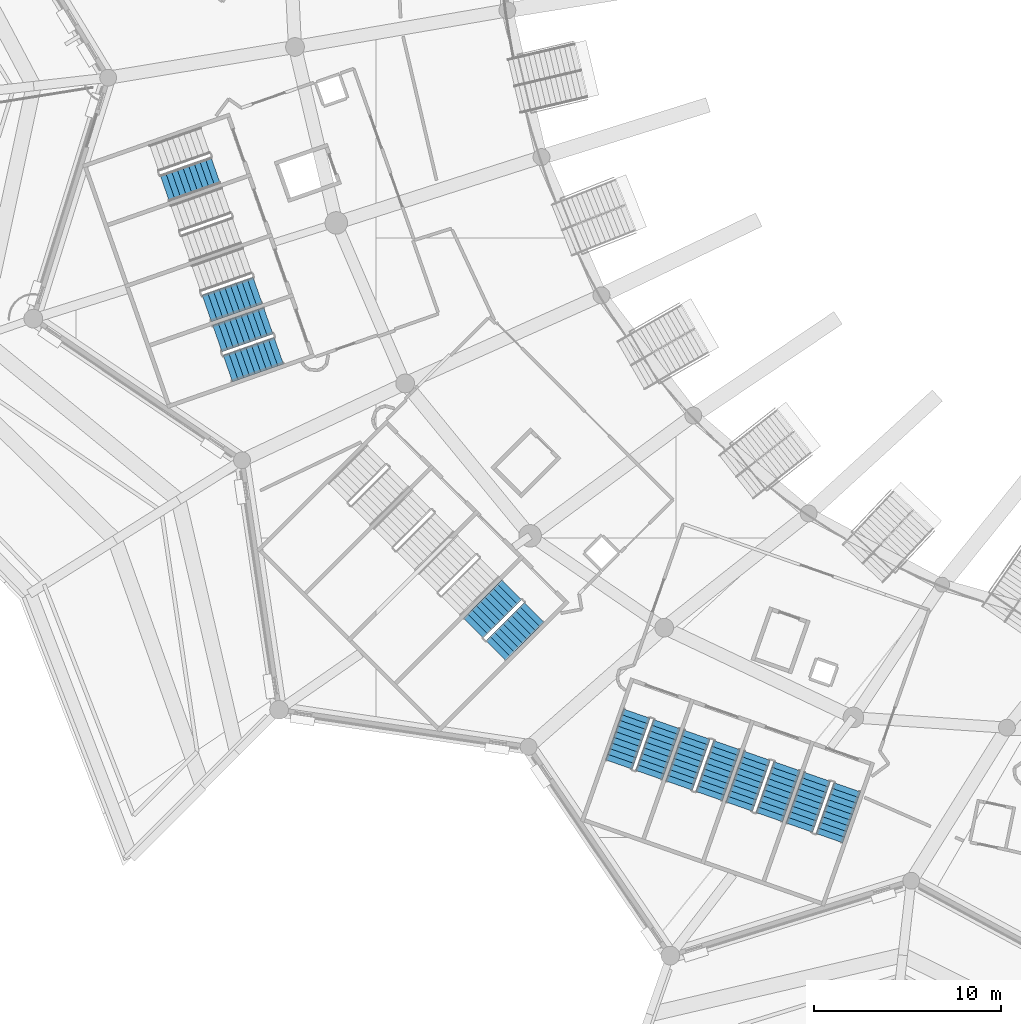
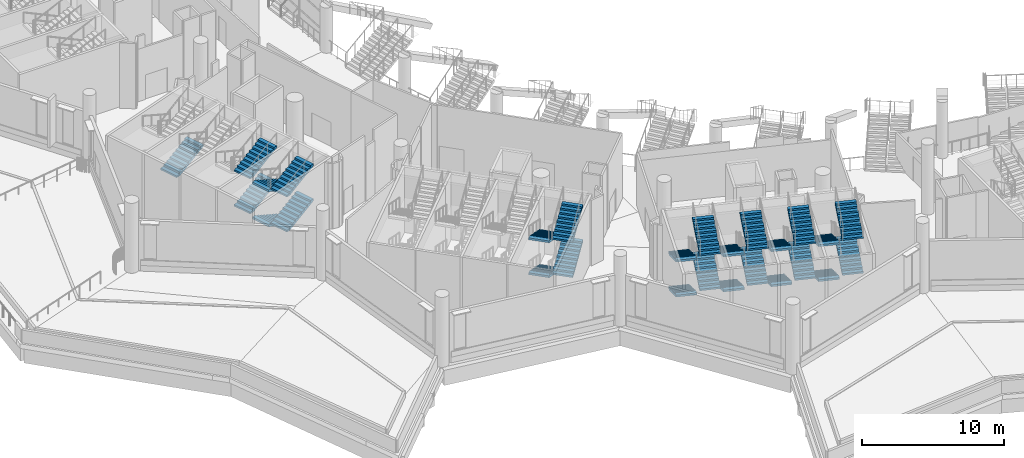
# One storey, part 80 of 173: 27 stair flights, 8 elements without a shape of their own.
"""IFC4 building model written with IfcOpenShell, lengths in metres."""

from ifc_helpers import new_model, si_unit, direction, frame, origin, place, context, subcontext, project, spatial, polyline, outline, extrude, material, type_object, element, aggregate, save


model = new_model("IFC4")

# Units and contexts
model_context = context("Model", 3, precision=1e-05, world=origin(), true_north=direction((0.0, 1.0)))
body_context = subcontext(model_context, "Body", "Model", "MODEL_VIEW")
ifc_project = project(units=[si_unit("LENGTHUNIT", "METRE"), si_unit("AREAUNIT", "SQUARE_METRE"), si_unit("VOLUMEUNIT", "CUBIC_METRE"), si_unit("PLANEANGLEUNIT", "RADIAN"), si_unit("MASSUNIT", "GRAM", prefix="KILO")], contexts=[model_context])

# Site, building, storey
site_placement = place(None, origin())
site = spatial("IfcSite", under=ifc_project, at=site_placement, CompositionType="ELEMENT")
building_placement = place(site_placement, origin())
building = spatial("IfcBuilding", under=site, at=building_placement, Name="Meseta Stadium", CompositionType="ELEMENT")
storey_placement = place(building_placement, frame((0.0, 0.0, 18.0)))
storey = spatial("IfcBuildingStorey", under=building, at=storey_placement, Name="L03", CompositionType="ELEMENT", Elevation=18.0)

# Stair, stair flight
ifc_material_1 = material(Name="Concrete C40/50", Category="concrete")
stair_type = type_object("IfcStairType", Name="Exit stair 4 flights 150 mm risers", PredefinedType="HALF_TURN_STAIR", material=ifc_material_1)
stair_1_placement = place(storey_placement, origin())
stair_1 = element("IfcStair", 1, at=stair_1_placement, inside=storey, type_object=stair_type, Name="ST77 L03", PredefinedType="HALF_TURN_STAIR")
ifc_material_2 = material(Name="Concrete C40/50", Category="concrete")
stair_flight_type = type_object("IfcStairFlightType", Name="Exit stair flight 150 mm risers, 4 per storey", PredefinedType="STRAIGHT", material=ifc_material_2)
stair_flight_1_placement = place(storey_placement, frame((-91.275390625, -61.33984375, 1.5), z_axis=(0.0, 0.0, 1.0), x_axis=(0.943883331955, 0.330279057248, 0.0)))
stair_flight_1 = element("IfcStairFlight", 2, at=stair_flight_1_placement, type_object=stair_flight_type, Name="ST77 L03 flight 2", NumberOfRisers=10, NumberOfTreads=9, PredefinedType="STRAIGHT", RiserHeight=0.15, TreadLength=0.32, context=body_context, shape_type="SweptSolid", body=[
    extrude(outline(polyline([(0.0, 0.0), (0.0, 0.14990234375), (0.320068359375, 0.14990234375), (0.320068359375, 0.300048828125), (0.639892578125, 0.300048828125), (0.639892578125, 0.449951171875), (0.9599609375, 0.449951171875), (0.9599609375, 0.60009765625), (1.280029296875, 0.60009765625), (1.280029296875, 0.75), (1.60009765625, 0.75), (1.60009765625, 0.89990234375), (1.919921875, 0.89990234375), (1.919921875, 1.050048828125), (2.239990234375, 1.050048828125), (2.239990234375, 1.199951171875), (2.56005859375, 1.199951171875), (2.56005859375, 1.35009765625), (2.8798828125, 1.35009765625), (2.8798828125, 1.184326171875), (0.353271484375, 0.0), (0.0, 0.0)])), frame((0.0, 0.75, 0.0), z_axis=(0.0, -1.0, 0.0), x_axis=(1.0, 0.0, 0.0)), (0.0, 0.0, 1.0), 1.5),
])
aggregate(stair_1, [stair_flight_1])

# Stair, stair flights
stair_2_placement = place(storey_placement, origin())
stair_2 = element("IfcStair", 3, at=stair_2_placement, inside=storey, type_object=stair_type, Name="ST79 L03", PredefinedType="HALF_TURN_STAIR")
stair_flight_2_placement = place(storey_placement, frame((-89.029541015625, -67.75830078125, 1.5), z_axis=(0.0, 0.0, 1.0), x_axis=(0.943883331955, 0.330279057248, 0.0)))
stair_flight_2 = element("IfcStairFlight", 4, at=stair_flight_2_placement, type_object=stair_flight_type, Name="ST79 L03 flight 2", NumberOfRisers=10, NumberOfTreads=9, PredefinedType="STRAIGHT", RiserHeight=0.15, TreadLength=0.32, context=body_context, shape_type="SweptSolid", body=[
    extrude(outline(polyline([(0.0, 0.0), (0.0, 0.14990234375), (0.320068359375, 0.14990234375), (0.320068359375, 0.300048828125), (0.639892578125, 0.300048828125), (0.639892578125, 0.449951171875), (0.9599609375, 0.449951171875), (0.9599609375, 0.60009765625), (1.280029296875, 0.60009765625), (1.280029296875, 0.75), (1.60009765625, 0.75), (1.60009765625, 0.89990234375), (1.919921875, 0.89990234375), (1.919921875, 1.050048828125), (2.239990234375, 1.050048828125), (2.239990234375, 1.199951171875), (2.56005859375, 1.199951171875), (2.56005859375, 1.35009765625), (2.8798828125, 1.35009765625), (2.8798828125, 1.184326171875), (0.353271484375, 0.0), (0.0, 0.0)])), frame((0.0, 0.75, 0.0), z_axis=(0.0, -1.0, 0.0), x_axis=(1.0, 0.0, 0.0)), (0.0, 0.0, 1.0), 1.5),
])
stair_flight_3_placement = place(storey_placement, frame((-89.029541015625, -67.75830078125, 4.5), z_axis=(0.0, 0.0, 1.0), x_axis=(0.943883331955, 0.330279057248, 0.0)))
stair_flight_3 = element("IfcStairFlight", 5, at=stair_flight_3_placement, type_object=stair_flight_type, Name="ST79 L03 flight 4", NumberOfRisers=10, NumberOfTreads=9, PredefinedType="STRAIGHT", RiserHeight=0.15, TreadLength=0.32, context=body_context, shape_type="SweptSolid", body=[
    extrude(outline(polyline([(0.0, 0.0), (0.0, 0.14990234375), (0.320068359375, 0.14990234375), (0.320068359375, 0.300048828125), (0.639892578125, 0.300048828125), (0.639892578125, 0.449951171875), (0.9599609375, 0.449951171875), (0.9599609375, 0.60009765625), (1.280029296875, 0.60009765625), (1.280029296875, 0.75), (1.60009765625, 0.75), (1.60009765625, 0.89990234375), (1.919921875, 0.89990234375), (1.919921875, 1.050048828125), (2.239990234375, 1.050048828125), (2.239990234375, 1.199951171875), (2.56005859375, 1.199951171875), (2.56005859375, 1.35009765625), (2.8798828125, 1.35009765625), (2.8798828125, 1.184326171875), (0.353271484375, 0.0), (0.0, 0.0)])), frame((0.0, 0.75, 0.0), z_axis=(0.0, -1.0, 0.0), x_axis=(1.0, 0.0, 0.0)), (0.0, 0.0, 1.0), 1.5),
])
aggregate(stair_2, [stair_flight_2, stair_flight_3])

stair_3_placement = place(storey_placement, origin())
stair_3 = element("IfcStair", 6, at=stair_3_placement, inside=storey, type_object=stair_type, Name="ST80 L03", PredefinedType="HALF_TURN_STAIR")
stair_flight_4_placement = place(storey_placement, frame((-85.74951171875, -68.41162109375, 0.0), z_axis=(0.0, 0.0, 1.0), x_axis=(-0.943883331955, -0.330279057248, 0.0)))
stair_flight_4 = element("IfcStairFlight", 7, at=stair_flight_4_placement, type_object=stair_flight_type, Name="ST80 L03 flight 1", NumberOfRisers=10, NumberOfTreads=9, PredefinedType="STRAIGHT", RiserHeight=0.15, TreadLength=0.32, context=body_context, shape_type="SweptSolid", body=[
    extrude(outline(polyline([(0.0, 0.0), (0.0, 0.14990234375), (0.320068359375, 0.14990234375), (0.320068359375, 0.300048828125), (0.639892578125, 0.300048828125), (0.639892578125, 0.449951171875), (0.9599609375, 0.449951171875), (0.9599609375, 0.60009765625), (1.280029296875, 0.60009765625), (1.280029296875, 0.75), (1.60009765625, 0.75), (1.60009765625, 0.89990234375), (1.919921875, 0.89990234375), (1.919921875, 1.050048828125), (2.239990234375, 1.050048828125), (2.239990234375, 1.199951171875), (2.56005859375, 1.199951171875), (2.56005859375, 1.35009765625), (2.8798828125, 1.35009765625), (2.8798828125, 1.184326171875), (0.353271484375, 0.0), (0.0, 0.0)])), frame((0.0, 0.75, 0.0), z_axis=(0.0, -1.0, 0.0), x_axis=(1.0, 0.0, 0.0)), (0.0, 0.0, 1.0), 1.5),
])
stair_flight_5_placement = place(storey_placement, frame((-87.906494140625, -70.967529296875, 1.5), z_axis=(0.0, 0.0, 1.0), x_axis=(0.943883331955, 0.330279057248, 0.0)))
stair_flight_5 = element("IfcStairFlight", 8, at=stair_flight_5_placement, type_object=stair_flight_type, Name="ST80 L03 flight 2", NumberOfRisers=10, NumberOfTreads=9, PredefinedType="STRAIGHT", RiserHeight=0.15, TreadLength=0.32, context=body_context, shape_type="SweptSolid", body=[
    extrude(outline(polyline([(0.0, 0.0), (0.0, 0.14990234375), (0.320068359375, 0.14990234375), (0.320068359375, 0.300048828125), (0.639892578125, 0.300048828125), (0.639892578125, 0.449951171875), (0.9599609375, 0.449951171875), (0.9599609375, 0.60009765625), (1.280029296875, 0.60009765625), (1.280029296875, 0.75), (1.60009765625, 0.75), (1.60009765625, 0.89990234375), (1.919921875, 0.89990234375), (1.919921875, 1.050048828125), (2.239990234375, 1.050048828125), (2.239990234375, 1.199951171875), (2.56005859375, 1.199951171875), (2.56005859375, 1.35009765625), (2.8798828125, 1.35009765625), (2.8798828125, 1.184326171875), (0.353271484375, 0.0), (0.0, 0.0)])), frame((0.0, 0.75, 0.0), z_axis=(0.0, -1.0, 0.0), x_axis=(1.0, 0.0, 0.0)), (0.0, 0.0, 1.0), 1.5),
])
stair_flight_6_placement = place(storey_placement, frame((-85.74951171875, -68.41162109375, 3.0), z_axis=(0.0, 0.0, 1.0), x_axis=(-0.943883331955, -0.330279057248, 0.0)))
stair_flight_6 = element("IfcStairFlight", 9, at=stair_flight_6_placement, type_object=stair_flight_type, Name="ST80 L03 flight 3", NumberOfRisers=10, NumberOfTreads=9, PredefinedType="STRAIGHT", RiserHeight=0.15, TreadLength=0.32, context=body_context, shape_type="SweptSolid", body=[
    extrude(outline(polyline([(0.0, 0.0), (0.0, 0.14990234375), (0.320068359375, 0.14990234375), (0.320068359375, 0.300048828125), (0.639892578125, 0.300048828125), (0.639892578125, 0.449951171875), (0.9599609375, 0.449951171875), (0.9599609375, 0.60009765625), (1.280029296875, 0.60009765625), (1.280029296875, 0.75), (1.60009765625, 0.75), (1.60009765625, 0.89990234375), (1.919921875, 0.89990234375), (1.919921875, 1.050048828125), (2.239990234375, 1.050048828125), (2.239990234375, 1.199951171875), (2.56005859375, 1.199951171875), (2.56005859375, 1.35009765625), (2.8798828125, 1.35009765625), (2.8798828125, 1.184326171875), (0.353271484375, 0.0), (0.0, 0.0)])), frame((0.0, 0.75, 0.0), z_axis=(0.0, -1.0, 0.0), x_axis=(1.0, 0.0, 0.0)), (0.0, 0.0, 1.0), 1.5),
])
stair_flight_7_placement = place(storey_placement, frame((-87.906494140625, -70.967529296875, 4.5), z_axis=(0.0, 0.0, 1.0), x_axis=(0.943883331955, 0.330279057248, 0.0)))
stair_flight_7 = element("IfcStairFlight", 10, at=stair_flight_7_placement, type_object=stair_flight_type, Name="ST80 L03 flight 4", NumberOfRisers=10, NumberOfTreads=9, PredefinedType="STRAIGHT", RiserHeight=0.15, TreadLength=0.32, context=body_context, shape_type="SweptSolid", body=[
    extrude(outline(polyline([(0.0, 0.0), (0.0, 0.14990234375), (0.320068359375, 0.14990234375), (0.320068359375, 0.300048828125), (0.639892578125, 0.300048828125), (0.639892578125, 0.449951171875), (0.9599609375, 0.449951171875), (0.9599609375, 0.60009765625), (1.280029296875, 0.60009765625), (1.280029296875, 0.75), (1.60009765625, 0.75), (1.60009765625, 0.89990234375), (1.919921875, 0.89990234375), (1.919921875, 1.050048828125), (2.239990234375, 1.050048828125), (2.239990234375, 1.199951171875), (2.56005859375, 1.199951171875), (2.56005859375, 1.35009765625), (2.8798828125, 1.35009765625), (2.8798828125, 1.184326171875), (0.353271484375, 0.0), (0.0, 0.0)])), frame((0.0, 0.75, 0.0), z_axis=(0.0, -1.0, 0.0), x_axis=(1.0, 0.0, 0.0)), (0.0, 0.0, 1.0), 1.5),
])
aggregate(stair_3, [stair_flight_4, stair_flight_5, stair_flight_6, stair_flight_7])

stair_4_placement = place(storey_placement, origin())
stair_4 = element("IfcStair", 11, at=stair_4_placement, inside=storey, type_object=stair_type, Name="ST84 L03", PredefinedType="HALF_TURN_STAIR")
stair_flight_8_placement = place(storey_placement, frame((-72.763916015625, -82.7744140625, 0.0), z_axis=(0.0, 0.0, 1.0), x_axis=(-0.707106781187, -0.707106781187, 0.0)))
stair_flight_8 = element("IfcStairFlight", 12, at=stair_flight_8_placement, type_object=stair_flight_type, Name="ST84 L03 flight 1", NumberOfRisers=10, NumberOfTreads=9, PredefinedType="STRAIGHT", RiserHeight=0.15, TreadLength=0.32, context=body_context, shape_type="SweptSolid", body=[
    extrude(outline(polyline([(0.0, 0.0), (0.0, 0.14990234375), (0.320068359375, 0.14990234375), (0.320068359375, 0.300048828125), (0.639892578125, 0.300048828125), (0.639892578125, 0.449951171875), (0.9599609375, 0.449951171875), (0.9599609375, 0.60009765625), (1.280029296875, 0.60009765625), (1.280029296875, 0.75), (1.60009765625, 0.75), (1.60009765625, 0.89990234375), (1.919921875, 0.89990234375), (1.919921875, 1.050048828125), (2.239990234375, 1.050048828125), (2.239990234375, 1.199951171875), (2.56005859375, 1.199951171875), (2.56005859375, 1.35009765625), (2.8798828125, 1.35009765625), (2.8798828125, 1.184326171875), (0.353271484375, 0.0), (0.0, 0.0)])), frame((0.0, 0.75, 0.0), z_axis=(0.0, -1.0, 0.0), x_axis=(1.0, 0.0, 0.0)), (0.0, 0.0, 1.0), 1.5),
])
stair_flight_9_placement = place(storey_placement, frame((-73.598388671875, -86.012939453125, 1.5), z_axis=(0.0, 0.0, 1.0), x_axis=(0.707106781187, 0.707106781187, 0.0)))
stair_flight_9 = element("IfcStairFlight", 13, at=stair_flight_9_placement, type_object=stair_flight_type, Name="ST84 L03 flight 2", NumberOfRisers=10, NumberOfTreads=9, PredefinedType="STRAIGHT", RiserHeight=0.15, TreadLength=0.32, context=body_context, shape_type="SweptSolid", body=[
    extrude(outline(polyline([(0.0, 0.0), (0.0, 0.14990234375), (0.320068359375, 0.14990234375), (0.320068359375, 0.300048828125), (0.639892578125, 0.300048828125), (0.639892578125, 0.449951171875), (0.9599609375, 0.449951171875), (0.9599609375, 0.60009765625), (1.280029296875, 0.60009765625), (1.280029296875, 0.75), (1.60009765625, 0.75), (1.60009765625, 0.89990234375), (1.919921875, 0.89990234375), (1.919921875, 1.050048828125), (2.239990234375, 1.050048828125), (2.239990234375, 1.199951171875), (2.56005859375, 1.199951171875), (2.56005859375, 1.35009765625), (2.8798828125, 1.35009765625), (2.8798828125, 1.184326171875), (0.353271484375, 0.0), (0.0, 0.0)])), frame((0.0, 0.75, 0.0), z_axis=(0.0, -1.0, 0.0), x_axis=(1.0, 0.0, 0.0)), (0.0, 0.0, 1.0), 1.5),
])
stair_flight_10_placement = place(storey_placement, frame((-72.763916015625, -82.7744140625, 3.0), z_axis=(0.0, 0.0, 1.0), x_axis=(-0.707106781187, -0.707106781187, 0.0)))
stair_flight_10 = element("IfcStairFlight", 14, at=stair_flight_10_placement, type_object=stair_flight_type, Name="ST84 L03 flight 3", NumberOfRisers=10, NumberOfTreads=9, PredefinedType="STRAIGHT", RiserHeight=0.15, TreadLength=0.32, context=body_context, shape_type="SweptSolid", body=[
    extrude(outline(polyline([(0.0, 0.0), (0.0, 0.14990234375), (0.320068359375, 0.14990234375), (0.320068359375, 0.300048828125), (0.639892578125, 0.300048828125), (0.639892578125, 0.449951171875), (0.9599609375, 0.449951171875), (0.9599609375, 0.60009765625), (1.280029296875, 0.60009765625), (1.280029296875, 0.75), (1.60009765625, 0.75), (1.60009765625, 0.89990234375), (1.919921875, 0.89990234375), (1.919921875, 1.050048828125), (2.239990234375, 1.050048828125), (2.239990234375, 1.199951171875), (2.56005859375, 1.199951171875), (2.56005859375, 1.35009765625), (2.8798828125, 1.35009765625), (2.8798828125, 1.184326171875), (0.353271484375, 0.0), (0.0, 0.0)])), frame((0.0, 0.75, 0.0), z_axis=(0.0, -1.0, 0.0), x_axis=(1.0, 0.0, 0.0)), (0.0, 0.0, 1.0), 1.5),
])
stair_flight_11_placement = place(storey_placement, frame((-73.598388671875, -86.012939453125, 4.5), z_axis=(0.0, 0.0, 1.0), x_axis=(0.707106781187, 0.707106781187, 0.0)))
stair_flight_11 = element("IfcStairFlight", 15, at=stair_flight_11_placement, type_object=stair_flight_type, Name="ST84 L03 flight 4", NumberOfRisers=10, NumberOfTreads=9, PredefinedType="STRAIGHT", RiserHeight=0.15, TreadLength=0.32, context=body_context, shape_type="SweptSolid", body=[
    extrude(outline(polyline([(0.0, 0.0), (0.0, 0.14990234375), (0.320068359375, 0.14990234375), (0.320068359375, 0.300048828125), (0.639892578125, 0.300048828125), (0.639892578125, 0.449951171875), (0.9599609375, 0.449951171875), (0.9599609375, 0.60009765625), (1.280029296875, 0.60009765625), (1.280029296875, 0.75), (1.60009765625, 0.75), (1.60009765625, 0.89990234375), (1.919921875, 0.89990234375), (1.919921875, 1.050048828125), (2.239990234375, 1.050048828125), (2.239990234375, 1.199951171875), (2.56005859375, 1.199951171875), (2.56005859375, 1.35009765625), (2.8798828125, 1.35009765625), (2.8798828125, 1.184326171875), (0.353271484375, 0.0), (0.0, 0.0)])), frame((0.0, 0.75, 0.0), z_axis=(0.0, -1.0, 0.0), x_axis=(1.0, 0.0, 0.0)), (0.0, 0.0, 1.0), 1.5),
])
aggregate(stair_4, [stair_flight_8, stair_flight_9, stair_flight_10, stair_flight_11])

stair_5_placement = place(storey_placement, origin())
stair_5 = element("IfcStair", 16, at=stair_5_placement, inside=storey, type_object=stair_type, Name="ST85 L03", PredefinedType="HALF_TURN_STAIR")
stair_flight_12_placement = place(storey_placement, frame((-66.082275390625, -89.376953125, 0.0), z_axis=(0.0, 0.0, 1.0), x_axis=(-0.330279057248, -0.943883331955, 0.0)))
stair_flight_12 = element("IfcStairFlight", 17, at=stair_flight_12_placement, type_object=stair_flight_type, Name="ST85 L03 flight 1", NumberOfRisers=10, NumberOfTreads=9, PredefinedType="STRAIGHT", RiserHeight=0.15, TreadLength=0.32, context=body_context, shape_type="SweptSolid", body=[
    extrude(outline(polyline([(0.0, 0.0), (0.0, 0.14990234375), (0.320068359375, 0.14990234375), (0.320068359375, 0.300048828125), (0.639892578125, 0.300048828125), (0.639892578125, 0.449951171875), (0.9599609375, 0.449951171875), (0.9599609375, 0.60009765625), (1.280029296875, 0.60009765625), (1.280029296875, 0.75), (1.60009765625, 0.75), (1.60009765625, 0.89990234375), (1.919921875, 0.89990234375), (1.919921875, 1.050048828125), (2.239990234375, 1.050048828125), (2.239990234375, 1.199951171875), (2.56005859375, 1.199951171875), (2.56005859375, 1.35009765625), (2.8798828125, 1.35009765625), (2.8798828125, 1.184326171875), (0.353271484375, 0.0), (0.0, 0.0)])), frame((0.0, 0.75, 0.0), z_axis=(0.0, -1.0, 0.0), x_axis=(1.0, 0.0, 0.0)), (0.0, 0.0, 1.0), 1.5),
])
stair_flight_13_placement = place(storey_placement, frame((-65.428955078125, -92.65673828125, 1.5), z_axis=(0.0, 0.0, 1.0), x_axis=(0.330279057248, 0.943883331955, 0.0)))
stair_flight_13 = element("IfcStairFlight", 18, at=stair_flight_13_placement, type_object=stair_flight_type, Name="ST85 L03 flight 2", NumberOfRisers=10, NumberOfTreads=9, PredefinedType="STRAIGHT", RiserHeight=0.15, TreadLength=0.32, context=body_context, shape_type="SweptSolid", body=[
    extrude(outline(polyline([(0.0, 0.0), (0.0, 0.14990234375), (0.320068359375, 0.14990234375), (0.320068359375, 0.300048828125), (0.639892578125, 0.300048828125), (0.639892578125, 0.449951171875), (0.9599609375, 0.449951171875), (0.9599609375, 0.60009765625), (1.280029296875, 0.60009765625), (1.280029296875, 0.75), (1.60009765625, 0.75), (1.60009765625, 0.89990234375), (1.919921875, 0.89990234375), (1.919921875, 1.050048828125), (2.239990234375, 1.050048828125), (2.239990234375, 1.199951171875), (2.56005859375, 1.199951171875), (2.56005859375, 1.35009765625), (2.8798828125, 1.35009765625), (2.8798828125, 1.184326171875), (0.353271484375, 0.0), (0.0, 0.0)])), frame((0.0, 0.75, 0.0), z_axis=(0.0, -1.0, 0.0), x_axis=(1.0, 0.0, 0.0)), (0.0, 0.0, 1.0), 1.5),
])
stair_flight_14_placement = place(storey_placement, frame((-66.082275390625, -89.376953125, 3.0), z_axis=(0.0, 0.0, 1.0), x_axis=(-0.330279057248, -0.943883331955, 0.0)))
stair_flight_14 = element("IfcStairFlight", 19, at=stair_flight_14_placement, type_object=stair_flight_type, Name="ST85 L03 flight 3", NumberOfRisers=10, NumberOfTreads=9, PredefinedType="STRAIGHT", RiserHeight=0.15, TreadLength=0.32, context=body_context, shape_type="SweptSolid", body=[
    extrude(outline(polyline([(0.0, 0.0), (0.0, 0.14990234375), (0.320068359375, 0.14990234375), (0.320068359375, 0.300048828125), (0.639892578125, 0.300048828125), (0.639892578125, 0.449951171875), (0.9599609375, 0.449951171875), (0.9599609375, 0.60009765625), (1.280029296875, 0.60009765625), (1.280029296875, 0.75), (1.60009765625, 0.75), (1.60009765625, 0.89990234375), (1.919921875, 0.89990234375), (1.919921875, 1.050048828125), (2.239990234375, 1.050048828125), (2.239990234375, 1.199951171875), (2.56005859375, 1.199951171875), (2.56005859375, 1.35009765625), (2.8798828125, 1.35009765625), (2.8798828125, 1.184326171875), (0.353271484375, 0.0), (0.0, 0.0)])), frame((0.0, 0.75, 0.0), z_axis=(0.0, -1.0, 0.0), x_axis=(1.0, 0.0, 0.0)), (0.0, 0.0, 1.0), 1.5),
])
stair_flight_15_placement = place(storey_placement, frame((-65.428955078125, -92.65673828125, 4.5), z_axis=(0.0, 0.0, 1.0), x_axis=(0.330279057248, 0.943883331955, 0.0)))
stair_flight_15 = element("IfcStairFlight", 20, at=stair_flight_15_placement, type_object=stair_flight_type, Name="ST85 L03 flight 4", NumberOfRisers=10, NumberOfTreads=9, PredefinedType="STRAIGHT", RiserHeight=0.15, TreadLength=0.32, context=body_context, shape_type="SweptSolid", body=[
    extrude(outline(polyline([(0.0, 0.0), (0.0, 0.14990234375), (0.320068359375, 0.14990234375), (0.320068359375, 0.300048828125), (0.639892578125, 0.300048828125), (0.639892578125, 0.449951171875), (0.9599609375, 0.449951171875), (0.9599609375, 0.60009765625), (1.280029296875, 0.60009765625), (1.280029296875, 0.75), (1.60009765625, 0.75), (1.60009765625, 0.89990234375), (1.919921875, 0.89990234375), (1.919921875, 1.050048828125), (2.239990234375, 1.050048828125), (2.239990234375, 1.199951171875), (2.56005859375, 1.199951171875), (2.56005859375, 1.35009765625), (2.8798828125, 1.35009765625), (2.8798828125, 1.184326171875), (0.353271484375, 0.0), (0.0, 0.0)])), frame((0.0, 0.75, 0.0), z_axis=(0.0, -1.0, 0.0), x_axis=(1.0, 0.0, 0.0)), (0.0, 0.0, 1.0), 1.5),
])
aggregate(stair_5, [stair_flight_12, stair_flight_13, stair_flight_14, stair_flight_15])

stair_6_placement = place(storey_placement, origin())
stair_6 = element("IfcStair", 21, at=stair_6_placement, inside=storey, type_object=stair_type, Name="ST86 L03", PredefinedType="HALF_TURN_STAIR")
stair_flight_16_placement = place(storey_placement, frame((-62.873046875, -90.5, 0.0), z_axis=(0.0, 0.0, 1.0), x_axis=(-0.330279057248, -0.943883331955, 0.0)))
stair_flight_16 = element("IfcStairFlight", 22, at=stair_flight_16_placement, type_object=stair_flight_type, Name="ST86 L03 flight 1", NumberOfRisers=10, NumberOfTreads=9, PredefinedType="STRAIGHT", RiserHeight=0.15, TreadLength=0.32, context=body_context, shape_type="SweptSolid", body=[
    extrude(outline(polyline([(0.0, 0.0), (0.0, 0.14990234375), (0.320068359375, 0.14990234375), (0.320068359375, 0.300048828125), (0.639892578125, 0.300048828125), (0.639892578125, 0.449951171875), (0.9599609375, 0.449951171875), (0.9599609375, 0.60009765625), (1.280029296875, 0.60009765625), (1.280029296875, 0.75), (1.60009765625, 0.75), (1.60009765625, 0.89990234375), (1.919921875, 0.89990234375), (1.919921875, 1.050048828125), (2.239990234375, 1.050048828125), (2.239990234375, 1.199951171875), (2.56005859375, 1.199951171875), (2.56005859375, 1.35009765625), (2.8798828125, 1.35009765625), (2.8798828125, 1.184326171875), (0.353271484375, 0.0), (0.0, 0.0)])), frame((0.0, 0.75, 0.0), z_axis=(0.0, -1.0, 0.0), x_axis=(1.0, 0.0, 0.0)), (0.0, 0.0, 1.0), 1.5),
])
stair_flight_17_placement = place(storey_placement, frame((-62.2197265625, -93.77978515625, 1.5), z_axis=(0.0, 0.0, 1.0), x_axis=(0.330279057248, 0.943883331955, 0.0)))
stair_flight_17 = element("IfcStairFlight", 23, at=stair_flight_17_placement, type_object=stair_flight_type, Name="ST86 L03 flight 2", NumberOfRisers=10, NumberOfTreads=9, PredefinedType="STRAIGHT", RiserHeight=0.15, TreadLength=0.32, context=body_context, shape_type="SweptSolid", body=[
    extrude(outline(polyline([(0.0, 0.0), (0.0, 0.14990234375), (0.320068359375, 0.14990234375), (0.320068359375, 0.300048828125), (0.639892578125, 0.300048828125), (0.639892578125, 0.449951171875), (0.9599609375, 0.449951171875), (0.9599609375, 0.60009765625), (1.280029296875, 0.60009765625), (1.280029296875, 0.75), (1.60009765625, 0.75), (1.60009765625, 0.89990234375), (1.919921875, 0.89990234375), (1.919921875, 1.050048828125), (2.239990234375, 1.050048828125), (2.239990234375, 1.199951171875), (2.56005859375, 1.199951171875), (2.56005859375, 1.35009765625), (2.8798828125, 1.35009765625), (2.8798828125, 1.184326171875), (0.353271484375, 0.0), (0.0, 0.0)])), frame((0.0, 0.75, 0.0), z_axis=(0.0, -1.0, 0.0), x_axis=(1.0, 0.0, 0.0)), (0.0, 0.0, 1.0), 1.5),
])
stair_flight_18_placement = place(storey_placement, frame((-62.873046875, -90.5, 3.0), z_axis=(0.0, 0.0, 1.0), x_axis=(-0.330279057248, -0.943883331955, 0.0)))
stair_flight_18 = element("IfcStairFlight", 24, at=stair_flight_18_placement, type_object=stair_flight_type, Name="ST86 L03 flight 3", NumberOfRisers=10, NumberOfTreads=9, PredefinedType="STRAIGHT", RiserHeight=0.15, TreadLength=0.32, context=body_context, shape_type="SweptSolid", body=[
    extrude(outline(polyline([(0.0, 0.0), (0.0, 0.14990234375), (0.320068359375, 0.14990234375), (0.320068359375, 0.300048828125), (0.639892578125, 0.300048828125), (0.639892578125, 0.449951171875), (0.9599609375, 0.449951171875), (0.9599609375, 0.60009765625), (1.280029296875, 0.60009765625), (1.280029296875, 0.75), (1.60009765625, 0.75), (1.60009765625, 0.89990234375), (1.919921875, 0.89990234375), (1.919921875, 1.050048828125), (2.239990234375, 1.050048828125), (2.239990234375, 1.199951171875), (2.56005859375, 1.199951171875), (2.56005859375, 1.35009765625), (2.8798828125, 1.35009765625), (2.8798828125, 1.184326171875), (0.353271484375, 0.0), (0.0, 0.0)])), frame((0.0, 0.75, 0.0), z_axis=(0.0, -1.0, 0.0), x_axis=(1.0, 0.0, 0.0)), (0.0, 0.0, 1.0), 1.5),
])
stair_flight_19_placement = place(storey_placement, frame((-62.2197265625, -93.77978515625, 4.5), z_axis=(0.0, 0.0, 1.0), x_axis=(0.330279057248, 0.943883331955, 0.0)))
stair_flight_19 = element("IfcStairFlight", 25, at=stair_flight_19_placement, type_object=stair_flight_type, Name="ST86 L03 flight 4", NumberOfRisers=10, NumberOfTreads=9, PredefinedType="STRAIGHT", RiserHeight=0.15, TreadLength=0.32, context=body_context, shape_type="SweptSolid", body=[
    extrude(outline(polyline([(0.0, 0.0), (0.0, 0.14990234375), (0.320068359375, 0.14990234375), (0.320068359375, 0.300048828125), (0.639892578125, 0.300048828125), (0.639892578125, 0.449951171875), (0.9599609375, 0.449951171875), (0.9599609375, 0.60009765625), (1.280029296875, 0.60009765625), (1.280029296875, 0.75), (1.60009765625, 0.75), (1.60009765625, 0.89990234375), (1.919921875, 0.89990234375), (1.919921875, 1.050048828125), (2.239990234375, 1.050048828125), (2.239990234375, 1.199951171875), (2.56005859375, 1.199951171875), (2.56005859375, 1.35009765625), (2.8798828125, 1.35009765625), (2.8798828125, 1.184326171875), (0.353271484375, 0.0), (0.0, 0.0)])), frame((0.0, 0.75, 0.0), z_axis=(0.0, -1.0, 0.0), x_axis=(1.0, 0.0, 0.0)), (0.0, 0.0, 1.0), 1.5),
])
aggregate(stair_6, [stair_flight_16, stair_flight_17, stair_flight_18, stair_flight_19])

stair_7_placement = place(storey_placement, origin())
stair_7 = element("IfcStair", 26, at=stair_7_placement, inside=storey, type_object=stair_type, Name="ST87 L03", PredefinedType="HALF_TURN_STAIR")
stair_flight_20_placement = place(storey_placement, frame((-59.663818359375, -91.622802734375, 0.0), z_axis=(0.0, 0.0, 1.0), x_axis=(-0.330279057248, -0.943883331955, 0.0)))
stair_flight_20 = element("IfcStairFlight", 27, at=stair_flight_20_placement, type_object=stair_flight_type, Name="ST87 L03 flight 1", NumberOfRisers=10, NumberOfTreads=9, PredefinedType="STRAIGHT", RiserHeight=0.15, TreadLength=0.32, context=body_context, shape_type="SweptSolid", body=[
    extrude(outline(polyline([(0.0, 0.0), (0.0, 0.14990234375), (0.320068359375, 0.14990234375), (0.320068359375, 0.300048828125), (0.639892578125, 0.300048828125), (0.639892578125, 0.449951171875), (0.9599609375, 0.449951171875), (0.9599609375, 0.60009765625), (1.280029296875, 0.60009765625), (1.280029296875, 0.75), (1.60009765625, 0.75), (1.60009765625, 0.89990234375), (1.919921875, 0.89990234375), (1.919921875, 1.050048828125), (2.239990234375, 1.050048828125), (2.239990234375, 1.199951171875), (2.56005859375, 1.199951171875), (2.56005859375, 1.35009765625), (2.8798828125, 1.35009765625), (2.8798828125, 1.184326171875), (0.353271484375, 0.0), (0.0, 0.0)])), frame((0.0, 0.75, 0.0), z_axis=(0.0, -1.0, 0.0), x_axis=(1.0, 0.0, 0.0)), (0.0, 0.0, 1.0), 1.5),
])
stair_flight_21_placement = place(storey_placement, frame((-59.010498046875, -94.902587890625, 1.5), z_axis=(0.0, 0.0, 1.0), x_axis=(0.330279057248, 0.943883331955, 0.0)))
stair_flight_21 = element("IfcStairFlight", 28, at=stair_flight_21_placement, type_object=stair_flight_type, Name="ST87 L03 flight 2", NumberOfRisers=10, NumberOfTreads=9, PredefinedType="STRAIGHT", RiserHeight=0.15, TreadLength=0.32, context=body_context, shape_type="SweptSolid", body=[
    extrude(outline(polyline([(0.0, 0.0), (0.0, 0.14990234375), (0.320068359375, 0.14990234375), (0.320068359375, 0.300048828125), (0.639892578125, 0.300048828125), (0.639892578125, 0.449951171875), (0.9599609375, 0.449951171875), (0.9599609375, 0.60009765625), (1.280029296875, 0.60009765625), (1.280029296875, 0.75), (1.60009765625, 0.75), (1.60009765625, 0.89990234375), (1.919921875, 0.89990234375), (1.919921875, 1.050048828125), (2.239990234375, 1.050048828125), (2.239990234375, 1.199951171875), (2.56005859375, 1.199951171875), (2.56005859375, 1.35009765625), (2.8798828125, 1.35009765625), (2.8798828125, 1.184326171875), (0.353271484375, 0.0), (0.0, 0.0)])), frame((0.0, 0.75, 0.0), z_axis=(0.0, -1.0, 0.0), x_axis=(1.0, 0.0, 0.0)), (0.0, 0.0, 1.0), 1.5),
])
stair_flight_22_placement = place(storey_placement, frame((-59.663818359375, -91.622802734375, 3.0), z_axis=(0.0, 0.0, 1.0), x_axis=(-0.330279057248, -0.943883331955, 0.0)))
stair_flight_22 = element("IfcStairFlight", 29, at=stair_flight_22_placement, type_object=stair_flight_type, Name="ST87 L03 flight 3", NumberOfRisers=10, NumberOfTreads=9, PredefinedType="STRAIGHT", RiserHeight=0.15, TreadLength=0.32, context=body_context, shape_type="SweptSolid", body=[
    extrude(outline(polyline([(0.0, 0.0), (0.0, 0.14990234375), (0.320068359375, 0.14990234375), (0.320068359375, 0.300048828125), (0.639892578125, 0.300048828125), (0.639892578125, 0.449951171875), (0.9599609375, 0.449951171875), (0.9599609375, 0.60009765625), (1.280029296875, 0.60009765625), (1.280029296875, 0.75), (1.60009765625, 0.75), (1.60009765625, 0.89990234375), (1.919921875, 0.89990234375), (1.919921875, 1.050048828125), (2.239990234375, 1.050048828125), (2.239990234375, 1.199951171875), (2.56005859375, 1.199951171875), (2.56005859375, 1.35009765625), (2.8798828125, 1.35009765625), (2.8798828125, 1.184326171875), (0.353271484375, 0.0), (0.0, 0.0)])), frame((0.0, 0.75, 0.0), z_axis=(0.0, -1.0, 0.0), x_axis=(1.0, 0.0, 0.0)), (0.0, 0.0, 1.0), 1.5),
])
stair_flight_23_placement = place(storey_placement, frame((-59.010498046875, -94.902587890625, 4.5), z_axis=(0.0, 0.0, 1.0), x_axis=(0.330279057248, 0.943883331955, 0.0)))
stair_flight_23 = element("IfcStairFlight", 30, at=stair_flight_23_placement, type_object=stair_flight_type, Name="ST87 L03 flight 4", NumberOfRisers=10, NumberOfTreads=9, PredefinedType="STRAIGHT", RiserHeight=0.15, TreadLength=0.32, context=body_context, shape_type="SweptSolid", body=[
    extrude(outline(polyline([(0.0, 0.0), (0.0, 0.14990234375), (0.320068359375, 0.14990234375), (0.320068359375, 0.300048828125), (0.639892578125, 0.300048828125), (0.639892578125, 0.449951171875), (0.9599609375, 0.449951171875), (0.9599609375, 0.60009765625), (1.280029296875, 0.60009765625), (1.280029296875, 0.75), (1.60009765625, 0.75), (1.60009765625, 0.89990234375), (1.919921875, 0.89990234375), (1.919921875, 1.050048828125), (2.239990234375, 1.050048828125), (2.239990234375, 1.199951171875), (2.56005859375, 1.199951171875), (2.56005859375, 1.35009765625), (2.8798828125, 1.35009765625), (2.8798828125, 1.184326171875), (0.353271484375, 0.0), (0.0, 0.0)])), frame((0.0, 0.75, 0.0), z_axis=(0.0, -1.0, 0.0), x_axis=(1.0, 0.0, 0.0)), (0.0, 0.0, 1.0), 1.5),
])
aggregate(stair_7, [stair_flight_20, stair_flight_21, stair_flight_22, stair_flight_23])

stair_8_placement = place(storey_placement, origin())
stair_8 = element("IfcStair", 31, at=stair_8_placement, inside=storey, type_object=stair_type, Name="ST88 L03", PredefinedType="HALF_TURN_STAIR")
stair_flight_24_placement = place(storey_placement, frame((-56.454833984375, -92.745849609375, 0.0), z_axis=(0.0, 0.0, 1.0), x_axis=(-0.330279057248, -0.943883331955, 0.0)))
stair_flight_24 = element("IfcStairFlight", 32, at=stair_flight_24_placement, type_object=stair_flight_type, Name="ST88 L03 flight 1", NumberOfRisers=10, NumberOfTreads=9, PredefinedType="STRAIGHT", RiserHeight=0.15, TreadLength=0.32, context=body_context, shape_type="SweptSolid", body=[
    extrude(outline(polyline([(0.0, 0.0), (0.0, 0.14990234375), (0.320068359375, 0.14990234375), (0.320068359375, 0.300048828125), (0.639892578125, 0.300048828125), (0.639892578125, 0.449951171875), (0.9599609375, 0.449951171875), (0.9599609375, 0.60009765625), (1.280029296875, 0.60009765625), (1.280029296875, 0.75), (1.60009765625, 0.75), (1.60009765625, 0.89990234375), (1.919921875, 0.89990234375), (1.919921875, 1.050048828125), (2.239990234375, 1.050048828125), (2.239990234375, 1.199951171875), (2.56005859375, 1.199951171875), (2.56005859375, 1.35009765625), (2.8798828125, 1.35009765625), (2.8798828125, 1.184326171875), (0.353271484375, 0.0), (0.0, 0.0)])), frame((0.0, 0.75, 0.0), z_axis=(0.0, -1.0, 0.0), x_axis=(1.0, 0.0, 0.0)), (0.0, 0.0, 1.0), 1.5),
])
stair_flight_25_placement = place(storey_placement, frame((-55.80126953125, -96.025634765625, 1.5), z_axis=(0.0, 0.0, 1.0), x_axis=(0.330279057248, 0.943883331955, 0.0)))
stair_flight_25 = element("IfcStairFlight", 33, at=stair_flight_25_placement, type_object=stair_flight_type, Name="ST88 L03 flight 2", NumberOfRisers=10, NumberOfTreads=9, PredefinedType="STRAIGHT", RiserHeight=0.15, TreadLength=0.32, context=body_context, shape_type="SweptSolid", body=[
    extrude(outline(polyline([(0.0, 0.0), (0.0, 0.14990234375), (0.320068359375, 0.14990234375), (0.320068359375, 0.300048828125), (0.639892578125, 0.300048828125), (0.639892578125, 0.449951171875), (0.9599609375, 0.449951171875), (0.9599609375, 0.60009765625), (1.280029296875, 0.60009765625), (1.280029296875, 0.75), (1.60009765625, 0.75), (1.60009765625, 0.89990234375), (1.919921875, 0.89990234375), (1.919921875, 1.050048828125), (2.239990234375, 1.050048828125), (2.239990234375, 1.199951171875), (2.56005859375, 1.199951171875), (2.56005859375, 1.35009765625), (2.8798828125, 1.35009765625), (2.8798828125, 1.184326171875), (0.353271484375, 0.0), (0.0, 0.0)])), frame((0.0, 0.75, 0.0), z_axis=(0.0, -1.0, 0.0), x_axis=(1.0, 0.0, 0.0)), (0.0, 0.0, 1.0), 1.5),
])
stair_flight_26_placement = place(storey_placement, frame((-56.454833984375, -92.745849609375, 3.0), z_axis=(0.0, 0.0, 1.0), x_axis=(-0.330279057248, -0.943883331955, 0.0)))
stair_flight_26 = element("IfcStairFlight", 34, at=stair_flight_26_placement, type_object=stair_flight_type, Name="ST88 L03 flight 3", NumberOfRisers=10, NumberOfTreads=9, PredefinedType="STRAIGHT", RiserHeight=0.15, TreadLength=0.32, context=body_context, shape_type="SweptSolid", body=[
    extrude(outline(polyline([(0.0, 0.0), (0.0, 0.14990234375), (0.320068359375, 0.14990234375), (0.320068359375, 0.300048828125), (0.639892578125, 0.300048828125), (0.639892578125, 0.449951171875), (0.9599609375, 0.449951171875), (0.9599609375, 0.60009765625), (1.280029296875, 0.60009765625), (1.280029296875, 0.75), (1.60009765625, 0.75), (1.60009765625, 0.89990234375), (1.919921875, 0.89990234375), (1.919921875, 1.050048828125), (2.239990234375, 1.050048828125), (2.239990234375, 1.199951171875), (2.56005859375, 1.199951171875), (2.56005859375, 1.35009765625), (2.8798828125, 1.35009765625), (2.8798828125, 1.184326171875), (0.353271484375, 0.0), (0.0, 0.0)])), frame((0.0, 0.75, 0.0), z_axis=(0.0, -1.0, 0.0), x_axis=(1.0, 0.0, 0.0)), (0.0, 0.0, 1.0), 1.5),
])
stair_flight_27_placement = place(storey_placement, frame((-55.80126953125, -96.025634765625, 4.5), z_axis=(0.0, 0.0, 1.0), x_axis=(0.330279057248, 0.943883331955, 0.0)))
stair_flight_27 = element("IfcStairFlight", 35, at=stair_flight_27_placement, type_object=stair_flight_type, Name="ST88 L03 flight 4", NumberOfRisers=10, NumberOfTreads=9, PredefinedType="STRAIGHT", RiserHeight=0.15, TreadLength=0.32, context=body_context, shape_type="SweptSolid", body=[
    extrude(outline(polyline([(0.0, 0.0), (0.0, 0.14990234375), (0.320068359375, 0.14990234375), (0.320068359375, 0.300048828125), (0.639892578125, 0.300048828125), (0.639892578125, 0.449951171875), (0.9599609375, 0.449951171875), (0.9599609375, 0.60009765625), (1.280029296875, 0.60009765625), (1.280029296875, 0.75), (1.60009765625, 0.75), (1.60009765625, 0.89990234375), (1.919921875, 0.89990234375), (1.919921875, 1.050048828125), (2.239990234375, 1.050048828125), (2.239990234375, 1.199951171875), (2.56005859375, 1.199951171875), (2.56005859375, 1.35009765625), (2.8798828125, 1.35009765625), (2.8798828125, 1.184326171875), (0.353271484375, 0.0), (0.0, 0.0)])), frame((0.0, 0.75, 0.0), z_axis=(0.0, -1.0, 0.0), x_axis=(1.0, 0.0, 0.0)), (0.0, 0.0, 1.0), 1.5),
])
aggregate(stair_8, [stair_flight_24, stair_flight_25, stair_flight_26, stair_flight_27])

save(model, "model.ifc")
